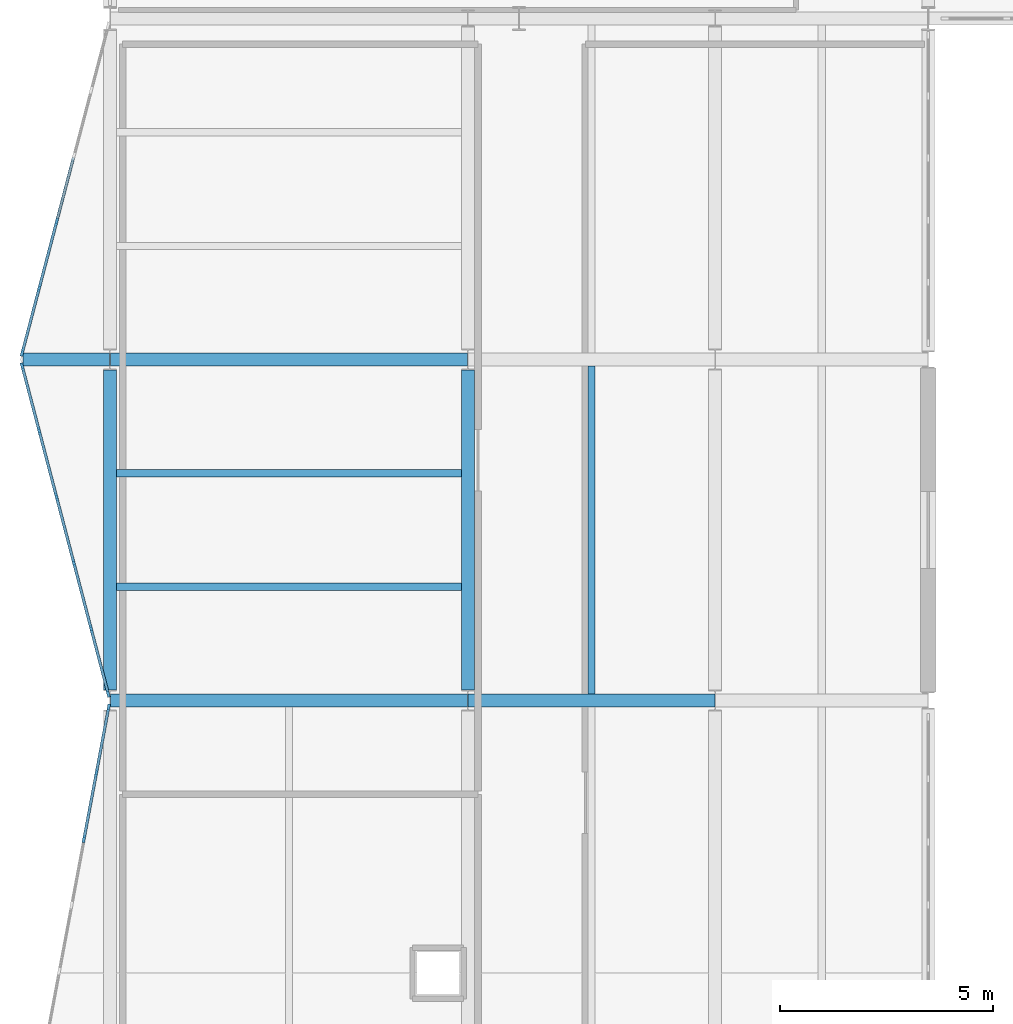
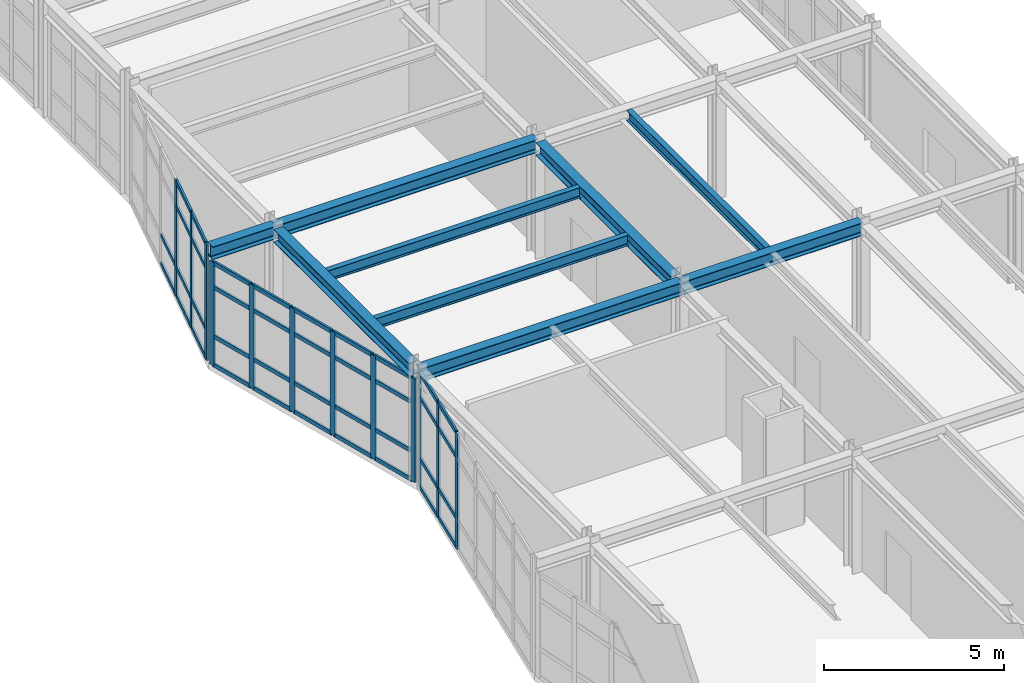
# One storey, part 26 of 88: 50 members, 9 beams, 3 elements without a shape of their own.
"""IFC4 building model written with IfcOpenShell, lengths in metres."""

from ifc_helpers import new_model, si_unit, direction, frame, origin, origin_2d, place, context, subcontext, project, spatial, rectangle, i_section, extrude, material, layer, layer_set, material_profile, profile_set, type_object, element, aggregate, save


model = new_model("IFC4")

# Units and contexts
model_context = context("Model", 3, precision=1e-05, world=origin(), true_north=direction((0.0, 1.0)))
body_context = subcontext(model_context, "Body", "Model", "MODEL_VIEW")
ifc_project = project(units=[si_unit("LENGTHUNIT", "METRE"), si_unit("AREAUNIT", "SQUARE_METRE"), si_unit("VOLUMEUNIT", "CUBIC_METRE"), si_unit("PLANEANGLEUNIT", "RADIAN"), si_unit("MASSUNIT", "GRAM", prefix="KILO")], contexts=[model_context])

# Site, building, storey
site_placement = place(None, origin())
site = spatial("IfcSite", under=ifc_project, at=site_placement, CompositionType="ELEMENT")
building_placement = place(site_placement, origin())
building = spatial("IfcBuilding", under=site, at=building_placement, Name="Nordkorset Police Headquarters", CompositionType="ELEMENT")
storey_placement = place(building_placement, frame((0.0, 0.0, 9.449951171875)))
storey = spatial("IfcBuildingStorey", under=building, at=storey_placement, Name="L02", CompositionType="ELEMENT", Elevation=9.449951171875)

# Beams
ifc_material_1 = material(Name="Steel S355J2", Category="steel")
ifc_material_profile_1 = material_profile(ifc_material_1, i_section(OverallWidth=0.169921875, OverallDepth=0.360107421875, WebThickness=0.008056640625, FlangeThickness=0.0126953125, FilletRadius=0.01806640625, at=origin_2d()), Name="IPE 360")
ifc_profile_set_1 = profile_set([ifc_material_profile_1], Name="Steel S355J2")
beam_type_1 = type_object("IfcBeamType", Name="Beam_IPE_360", PredefinedType="BEAM", material=ifc_profile_set_1)
for number, where, z_axis, x_axis, name in (
    (1, (0.14990234375, 69.86669921875, 3.7900390625), (1.0, 0.0, 0.0), (0.0, 1.0, 0.0), "Composite Floor Beam V3 L02 0-4-1"),
    (2, (0.14990234375, 72.533447265625, 3.7900390625), (1.0, 0.0, 0.0), (0.0, 1.0, 0.0), "Composite Floor Beam V3 L02 0-4-2"),
):
    element("IfcBeam", number, at=place(storey_placement, frame(where, z_axis=z_axis, x_axis=x_axis)), inside=storey, type_object=beam_type_1, Name=name, PredefinedType="BEAM", context=body_context, shape_type="SweptSolid", body=[
        extrude(i_section(OverallWidth=0.169921875, OverallDepth=0.360107421875, WebThickness=0.008056640625, FlangeThickness=0.0126953125, FilletRadius=0.01806640625, at=origin_2d()), origin(), (0.0, 0.0, 1.0), 8.10009765625),
    ])
beam_1_placement = place(storey_placement, frame((11.300048828125, 67.35009765625, 3.7900390625), z_axis=(0.0, 1.0, 0.0), x_axis=(-1.0, 0.0, 0.0)))
element("IfcBeam", 3, at=beam_1_placement, inside=storey, type_object=beam_type_1, Name="Composite Floor Beam V3 L02 1-4-1", PredefinedType="BEAM", context=body_context, shape_type="SweptSolid", body=[
    extrude(i_section(OverallWidth=0.169921875, OverallDepth=0.360107421875, WebThickness=0.008056640625, FlangeThickness=0.0126953125, FilletRadius=0.01806640625, at=origin_2d()), origin(), (0.0, 0.0, 1.0), 7.699951171875),
])

# Curtain wall, members
ifc_material_2 = material(Name="Aluminium alloy AW-6060", Category="aluminium")
ifc_layer_1 = layer(ifc_material_2, 0.179931640625, Name="Aluminium alloy AW-6060")
ifc_layer_set_1 = layer_set([ifc_layer_1], Name="Aluminium alloy AW-6060")
curtain_wall_type_1 = type_object("IfcCurtainWallType", Name="CW_Unit_949x392", PredefinedType="USERDEFINED", material=ifc_layer_set_1)
curtain_wall_1_placement = place(storey_placement, origin())
curtain_wall_1 = element("IfcCurtainWall", 4, at=curtain_wall_1_placement, inside=storey, type_object=curtain_wall_type_1, Name="Unitised Curtain Wall L02 V3W-3", ObjectType="UNITISED CURTAIN WALL", PredefinedType="USERDEFINED")
ifc_material_3 = material(Name="Aluminium alloy AW-6060", Category="aluminium")
ifc_material_profile_2 = material_profile(ifc_material_3, rectangle(XDim=0.06494140625, YDim=0.179931640625, at=origin_2d()), Name="ALU MULL 65x180")
ifc_profile_set_2 = profile_set([ifc_material_profile_2], Name="Aluminium alloy AW-6060")
member_type_1 = type_object("IfcMemberType", Name="CW_Mullion_65x180", PredefinedType="MULLION", material=ifc_profile_set_2)
member_1_placement = place(storey_placement, frame((-0.608642578125, 63.9541015625, 0.0), z_axis=(0.0, 0.0, 1.0), x_axis=(-0.982872186935, 0.184288535048, 0.0)))
member_1 = element("IfcMember", 5, at=member_1_placement, type_object=member_type_1, Name="CW-49 mullion 5", PredefinedType="MULLION", context=body_context, shape_type="SweptSolid", body=[
    extrude(rectangle(XDim=0.06494140625, YDim=0.179931640625, at=origin_2d()), origin(), (0.0, 0.0, 1.0), 3.920166015625),
])
member_2_placement = place(storey_placement, frame((-0.317138671875, 65.50830078125, 0.0), z_axis=(0.0, 0.0, 1.0), x_axis=(-0.982872186935, 0.184288535048, 0.0)))
member_2 = element("IfcMember", 6, at=member_2_placement, type_object=member_type_1, Name="CW-49 mullion 6", PredefinedType="MULLION", context=body_context, shape_type="SweptSolid", body=[
    extrude(rectangle(XDim=0.06494140625, YDim=0.179931640625, at=origin_2d()), origin(), (0.0, 0.0, 1.0), 3.920166015625),
])
member_3_placement = place(storey_placement, frame((-0.03173828125, 67.030517578125, 0.0), z_axis=(0.0, 0.0, 1.0), x_axis=(-0.982872186935, 0.184288535048, 0.0)))
member_3 = element("IfcMember", 7, at=member_3_placement, type_object=member_type_1, Name="CW-49 mullion 7", PredefinedType="MULLION", context=body_context, shape_type="SweptSolid", body=[
    extrude(rectangle(XDim=0.06494140625, YDim=0.179931640625, at=origin_2d()), origin(), (0.0, 0.0, 1.0), 3.920166015625),
])

ifc_material_4 = material(Name="Aluminium alloy AW-6060", Category="aluminium")
ifc_layer_2 = layer(ifc_material_4, 0.179931640625, Name="Aluminium alloy AW-6060")
ifc_layer_set_2 = layer_set([ifc_layer_2], Name="Aluminium alloy AW-6060")
curtain_wall_type_2 = type_object("IfcCurtainWallType", Name="CW_Unit_799x351", PredefinedType="USERDEFINED", material=ifc_layer_set_2)
curtain_wall_2_placement = place(storey_placement, origin())
curtain_wall_2 = element("IfcCurtainWall", 8, at=curtain_wall_2_placement, inside=storey, type_object=curtain_wall_type_2, Name="Unitised Curtain Wall L02 V3W-4", ObjectType="UNITISED CURTAIN WALL", PredefinedType="USERDEFINED")
member_4_placement = place(storey_placement, frame((-0.043701171875, 67.366943359375, 0.0), z_axis=(0.0, 0.0, 1.0), x_axis=(-0.967231265013, -0.25389698695, 0.0)))
member_4 = element("IfcMember", 9, at=member_4_placement, type_object=member_type_1, Name="CW-16 mullion 1", PredefinedType="MULLION", context=body_context, shape_type="SweptSolid", body=[
    extrude(rectangle(XDim=0.06494140625, YDim=0.179931640625, at=origin_2d()), origin(), (0.0, 0.0, 1.0), 3.510009765625),
])
member_5_placement = place(storey_placement, frame((-0.44140625, 68.88134765625, 0.0), z_axis=(0.0, 0.0, 1.0), x_axis=(-0.967231265013, -0.25389698695, 0.0)))
member_5 = element("IfcMember", 10, at=member_5_placement, type_object=member_type_1, Name="CW-16 mullion 2", PredefinedType="MULLION", context=body_context, shape_type="SweptSolid", body=[
    extrude(rectangle(XDim=0.06494140625, YDim=0.179931640625, at=origin_2d()), origin(), (0.0, 0.0, 1.0), 3.510009765625),
])
member_6_placement = place(storey_placement, frame((-0.84716796875, 70.427001953125, 0.0), z_axis=(0.0, 0.0, 1.0), x_axis=(-0.967231265013, -0.25389698695, 0.0)))
member_6 = element("IfcMember", 11, at=member_6_placement, type_object=member_type_1, Name="CW-16 mullion 3", PredefinedType="MULLION", context=body_context, shape_type="SweptSolid", body=[
    extrude(rectangle(XDim=0.06494140625, YDim=0.179931640625, at=origin_2d()), origin(), (0.0, 0.0, 1.0), 3.510009765625),
])
member_7_placement = place(storey_placement, frame((-1.2529296875, 71.972900390625, 0.0), z_axis=(0.0, 0.0, 1.0), x_axis=(-0.967231265013, -0.25389698695, 0.0)))
member_7 = element("IfcMember", 12, at=member_7_placement, type_object=member_type_1, Name="CW-16 mullion 4", PredefinedType="MULLION", context=body_context, shape_type="SweptSolid", body=[
    extrude(rectangle(XDim=0.06494140625, YDim=0.179931640625, at=origin_2d()), origin(), (0.0, 0.0, 1.0), 3.510009765625),
])
member_8_placement = place(storey_placement, frame((-1.65869140625, 73.518798828125, 0.0), z_axis=(0.0, 0.0, 1.0), x_axis=(-0.967231265013, -0.25389698695, 0.0)))
member_8 = element("IfcMember", 13, at=member_8_placement, type_object=member_type_1, Name="CW-16 mullion 5", PredefinedType="MULLION", context=body_context, shape_type="SweptSolid", body=[
    extrude(rectangle(XDim=0.06494140625, YDim=0.179931640625, at=origin_2d()), origin(), (0.0, 0.0, 1.0), 3.510009765625),
])
member_9_placement = place(storey_placement, frame((-2.05615234375, 75.033203125, 0.0), z_axis=(0.0, 0.0, 1.0), x_axis=(-0.967231265013, -0.25389698695, 0.0)))
member_9 = element("IfcMember", 14, at=member_9_placement, type_object=member_type_1, Name="CW-16 mullion 6", PredefinedType="MULLION", context=body_context, shape_type="SweptSolid", body=[
    extrude(rectangle(XDim=0.06494140625, YDim=0.179931640625, at=origin_2d()), origin(), (0.0, 0.0, 1.0), 3.510009765625),
])

ifc_material_5 = material(Name="Aluminium alloy AW-6060", Category="aluminium")
ifc_layer_3 = layer(ifc_material_5, 0.179931640625, Name="Aluminium alloy AW-6060")
ifc_layer_set_3 = layer_set([ifc_layer_3], Name="Aluminium alloy AW-6060")
curtain_wall_type_3 = type_object("IfcCurtainWallType", Name="CW_Unit_799x392", PredefinedType="USERDEFINED", material=ifc_layer_set_3)
curtain_wall_3_placement = place(storey_placement, origin())
curtain_wall_3 = element("IfcCurtainWall", 15, at=curtain_wall_3_placement, inside=storey, type_object=curtain_wall_type_3, Name="Unitised Curtain Wall L02 V3W-5", ObjectType="UNITISED CURTAIN WALL", PredefinedType="USERDEFINED")
member_10_placement = place(storey_placement, frame((-2.05615234375, 75.366943359375, 0.0), z_axis=(0.0, 0.0, 1.0), x_axis=(-0.967231265013, 0.25389698695, 0.0)))
member_10 = element("IfcMember", 16, at=member_10_placement, type_object=member_type_1, Name="CW-68 mullion 1", PredefinedType="MULLION", context=body_context, shape_type="SweptSolid", body=[
    extrude(rectangle(XDim=0.06494140625, YDim=0.179931640625, at=origin_2d()), origin(), (0.0, 0.0, 1.0), 3.920166015625),
])
member_11_placement = place(storey_placement, frame((-1.65869140625, 76.88134765625, 0.0), z_axis=(0.0, 0.0, 1.0), x_axis=(-0.967231265013, 0.25389698695, 0.0)))
member_11 = element("IfcMember", 17, at=member_11_placement, type_object=member_type_1, Name="CW-68 mullion 2", PredefinedType="MULLION", context=body_context, shape_type="SweptSolid", body=[
    extrude(rectangle(XDim=0.06494140625, YDim=0.179931640625, at=origin_2d()), origin(), (0.0, 0.0, 1.0), 3.920166015625),
])
member_12_placement = place(storey_placement, frame((-1.2529296875, 78.427001953125, 0.0), z_axis=(0.0, 0.0, 1.0), x_axis=(-0.967231265013, 0.25389698695, 0.0)))
member_12 = element("IfcMember", 18, at=member_12_placement, type_object=member_type_1, Name="CW-68 mullion 3", PredefinedType="MULLION", context=body_context, shape_type="SweptSolid", body=[
    extrude(rectangle(XDim=0.06494140625, YDim=0.179931640625, at=origin_2d()), origin(), (0.0, 0.0, 1.0), 3.920166015625),
])

# Member
ifc_material_6 = material(Name="Aluminium alloy AW-6060", Category="aluminium")
ifc_material_profile_3 = material_profile(ifc_material_6, rectangle(XDim=0.06494140625, YDim=0.139892578125, at=origin_2d()), Name="ALU TRAN 65x140")
ifc_profile_set_3 = profile_set([ifc_material_profile_3], Name="Aluminium alloy AW-6060")
member_type_2 = type_object("IfcMemberType", Name="CW_Transom_65x140", PredefinedType="USERDEFINED", material=ifc_profile_set_3)
member_13_placement = place(storey_placement, frame((-0.6025390625, 63.986083984375, 0.032470703125), z_axis=(0.184210757138, 0.982886767107, 0.0), x_axis=(-0.982886767107, 0.184210757138, 0.0)))
member_13 = element("IfcMember", 19, at=member_13_placement, type_object=member_type_2, Name="CW-49 transom 5.1", ObjectType="TRANSOM", PredefinedType="USERDEFINED", context=body_context, shape_type="SweptSolid", body=[
    extrude(rectangle(XDim=0.06494140625, YDim=0.139892578125, at=origin_2d()), origin(), (0.0, 0.0, 1.0), 1.51611328125),
])

member_14_placement = place(storey_placement, frame((-0.6025390625, 63.986083984375, 1.0), z_axis=(0.184210757138, 0.982886767107, 0.0), x_axis=(-0.982886767107, 0.184210757138, 0.0)))
member_14 = element("IfcMember", 20, at=member_14_placement, type_object=member_type_2, Name="CW-49 transom 5.2", ObjectType="TRANSOM", PredefinedType="USERDEFINED", context=body_context, shape_type="SweptSolid", body=[
    extrude(rectangle(XDim=0.06494140625, YDim=0.139892578125, at=origin_2d()), origin(), (0.0, 0.0, 1.0), 1.51611328125),
])

member_15_placement = place(storey_placement, frame((-0.6025390625, 63.986083984375, 3.070068359375), z_axis=(0.184210757138, 0.982886767107, 0.0), x_axis=(-0.982886767107, 0.184210757138, 0.0)))
member_15 = element("IfcMember", 21, at=member_15_placement, type_object=member_type_2, Name="CW-49 transom 5.3", ObjectType="TRANSOM", PredefinedType="USERDEFINED", context=body_context, shape_type="SweptSolid", body=[
    extrude(rectangle(XDim=0.06494140625, YDim=0.139892578125, at=origin_2d()), origin(), (0.0, 0.0, 1.0), 1.51611328125),
])

member_16_placement = place(storey_placement, frame((-0.6025390625, 63.986083984375, 3.887451171875), z_axis=(0.184210757138, 0.982886767107, 0.0), x_axis=(-0.982886767107, 0.184210757138, 0.0)))
member_16 = element("IfcMember", 22, at=member_16_placement, type_object=member_type_2, Name="CW-49 transom 5.4", ObjectType="TRANSOM", PredefinedType="USERDEFINED", context=body_context, shape_type="SweptSolid", body=[
    extrude(rectangle(XDim=0.06494140625, YDim=0.139892578125, at=origin_2d()), origin(), (0.0, 0.0, 1.0), 1.51611328125),
])

member_17_placement = place(storey_placement, frame((-0.311279296875, 65.540283203125, 0.032470703125), z_axis=(0.184298470268, 0.982870324029, 0.0), x_axis=(-0.982870324029, 0.184298470268, 0.0)))
member_17 = element("IfcMember", 23, at=member_17_placement, type_object=member_type_2, Name="CW-49 transom 6.1", ObjectType="TRANSOM", PredefinedType="USERDEFINED", context=body_context, shape_type="SweptSolid", body=[
    extrude(rectangle(XDim=0.06494140625, YDim=0.139892578125, at=origin_2d()), origin(), (0.0, 0.0, 1.0), 1.483642578125),
])

member_18_placement = place(storey_placement, frame((-0.311279296875, 65.540283203125, 1.0), z_axis=(0.184298470268, 0.982870324029, 0.0), x_axis=(-0.982870324029, 0.184298470268, 0.0)))
member_18 = element("IfcMember", 24, at=member_18_placement, type_object=member_type_2, Name="CW-49 transom 6.2", ObjectType="TRANSOM", PredefinedType="USERDEFINED", context=body_context, shape_type="SweptSolid", body=[
    extrude(rectangle(XDim=0.06494140625, YDim=0.139892578125, at=origin_2d()), origin(), (0.0, 0.0, 1.0), 1.483642578125),
])

member_19_placement = place(storey_placement, frame((-0.311279296875, 65.540283203125, 3.070068359375), z_axis=(0.184298470268, 0.982870324029, 0.0), x_axis=(-0.982870324029, 0.184298470268, 0.0)))
member_19 = element("IfcMember", 25, at=member_19_placement, type_object=member_type_2, Name="CW-49 transom 6.3", ObjectType="TRANSOM", PredefinedType="USERDEFINED", context=body_context, shape_type="SweptSolid", body=[
    extrude(rectangle(XDim=0.06494140625, YDim=0.139892578125, at=origin_2d()), origin(), (0.0, 0.0, 1.0), 1.483642578125),
])

member_20_placement = place(storey_placement, frame((-0.311279296875, 65.540283203125, 3.887451171875), z_axis=(0.184298470268, 0.982870324029, 0.0), x_axis=(-0.982870324029, 0.184298470268, 0.0)))
member_20 = element("IfcMember", 26, at=member_20_placement, type_object=member_type_2, Name="CW-49 transom 6.4", ObjectType="TRANSOM", PredefinedType="USERDEFINED", context=body_context, shape_type="SweptSolid", body=[
    extrude(rectangle(XDim=0.06494140625, YDim=0.139892578125, at=origin_2d()), origin(), (0.0, 0.0, 1.0), 1.483642578125),
])

aggregate(curtain_wall_1, [member_1, member_2, member_3, member_13, member_14, member_15, member_16, member_17, member_18, member_19, member_20])

member_21_placement = place(storey_placement, frame((-0.052001953125, 67.398193359375, 0.032470703125), z_axis=(-0.253924760119, 0.967223974164, 0.0), x_axis=(-0.967223974164, -0.253924760119, 0.0)))
member_21 = element("IfcMember", 27, at=member_21_placement, type_object=member_type_2, Name="CW-16 transom 1.1", ObjectType="TRANSOM", PredefinedType="USERDEFINED", context=body_context, shape_type="SweptSolid", body=[
    extrude(rectangle(XDim=0.06494140625, YDim=0.139892578125, at=origin_2d()), origin(), (0.0, 0.0, 1.0), 1.500732421875),
])

member_22_placement = place(storey_placement, frame((-0.052001953125, 67.398193359375, 1.0), z_axis=(-0.253924760119, 0.967223974164, 0.0), x_axis=(-0.967223974164, -0.253924760119, 0.0)))
member_22 = element("IfcMember", 28, at=member_22_placement, type_object=member_type_2, Name="CW-16 transom 1.2", ObjectType="TRANSOM", PredefinedType="USERDEFINED", context=body_context, shape_type="SweptSolid", body=[
    extrude(rectangle(XDim=0.06494140625, YDim=0.139892578125, at=origin_2d()), origin(), (0.0, 0.0, 1.0), 1.500732421875),
])

member_23_placement = place(storey_placement, frame((-0.052001953125, 67.398193359375, 2.66015625), z_axis=(-0.253924760119, 0.967223974164, 0.0), x_axis=(-0.967223974164, -0.253924760119, 0.0)))
member_23 = element("IfcMember", 29, at=member_23_placement, type_object=member_type_2, Name="CW-16 transom 1.3", ObjectType="TRANSOM", PredefinedType="USERDEFINED", context=body_context, shape_type="SweptSolid", body=[
    extrude(rectangle(XDim=0.06494140625, YDim=0.139892578125, at=origin_2d()), origin(), (0.0, 0.0, 1.0), 1.500732421875),
])

member_24_placement = place(storey_placement, frame((-0.052001953125, 67.398193359375, 3.4775390625), z_axis=(-0.253924760119, 0.967223974164, 0.0), x_axis=(-0.967223974164, -0.253924760119, 0.0)))
member_24 = element("IfcMember", 30, at=member_24_placement, type_object=member_type_2, Name="CW-16 transom 1.4", ObjectType="TRANSOM", PredefinedType="USERDEFINED", context=body_context, shape_type="SweptSolid", body=[
    extrude(rectangle(XDim=0.06494140625, YDim=0.139892578125, at=origin_2d()), origin(), (0.0, 0.0, 1.0), 1.500732421875),
])

member_25_placement = place(storey_placement, frame((-0.449462890625, 68.91259765625, 0.032470703125), z_axis=(-0.253944674811, 0.967218745753, 0.0), x_axis=(-0.967218745753, -0.253944674811, 0.0)))
member_25 = element("IfcMember", 31, at=member_25_placement, type_object=member_type_2, Name="CW-16 transom 2.1", ObjectType="TRANSOM", PredefinedType="USERDEFINED", context=body_context, shape_type="SweptSolid", body=[
    extrude(rectangle(XDim=0.06494140625, YDim=0.139892578125, at=origin_2d()), origin(), (0.0, 0.0, 1.0), 1.533447265625),
])

member_26_placement = place(storey_placement, frame((-0.449462890625, 68.91259765625, 1.0), z_axis=(-0.253944674811, 0.967218745753, 0.0), x_axis=(-0.967218745753, -0.253944674811, 0.0)))
member_26 = element("IfcMember", 32, at=member_26_placement, type_object=member_type_2, Name="CW-16 transom 2.2", ObjectType="TRANSOM", PredefinedType="USERDEFINED", context=body_context, shape_type="SweptSolid", body=[
    extrude(rectangle(XDim=0.06494140625, YDim=0.139892578125, at=origin_2d()), origin(), (0.0, 0.0, 1.0), 1.533447265625),
])

member_27_placement = place(storey_placement, frame((-0.449462890625, 68.91259765625, 2.66015625), z_axis=(-0.253944674811, 0.967218745753, 0.0), x_axis=(-0.967218745753, -0.253944674811, 0.0)))
member_27 = element("IfcMember", 33, at=member_27_placement, type_object=member_type_2, Name="CW-16 transom 2.3", ObjectType="TRANSOM", PredefinedType="USERDEFINED", context=body_context, shape_type="SweptSolid", body=[
    extrude(rectangle(XDim=0.06494140625, YDim=0.139892578125, at=origin_2d()), origin(), (0.0, 0.0, 1.0), 1.533447265625),
])

member_28_placement = place(storey_placement, frame((-0.449462890625, 68.91259765625, 3.4775390625), z_axis=(-0.253944674811, 0.967218745753, 0.0), x_axis=(-0.967218745753, -0.253944674811, 0.0)))
member_28 = element("IfcMember", 34, at=member_28_placement, type_object=member_type_2, Name="CW-16 transom 2.4", ObjectType="TRANSOM", PredefinedType="USERDEFINED", context=body_context, shape_type="SweptSolid", body=[
    extrude(rectangle(XDim=0.06494140625, YDim=0.139892578125, at=origin_2d()), origin(), (0.0, 0.0, 1.0), 1.533447265625),
])

member_29_placement = place(storey_placement, frame((-0.85546875, 70.45849609375, 0.032470703125), z_axis=(-0.253834812056, 0.967247583708, 0.0), x_axis=(-0.967247583708, -0.253834812056, 0.0)))
member_29 = element("IfcMember", 35, at=member_29_placement, type_object=member_type_2, Name="CW-16 transom 3.1", ObjectType="TRANSOM", PredefinedType="USERDEFINED", context=body_context, shape_type="SweptSolid", body=[
    extrude(rectangle(XDim=0.06494140625, YDim=0.139892578125, at=origin_2d()), origin(), (0.0, 0.0, 1.0), 1.533203125),
])

member_30_placement = place(storey_placement, frame((-0.85546875, 70.45849609375, 1.0), z_axis=(-0.253834812056, 0.967247583708, 0.0), x_axis=(-0.967247583708, -0.253834812056, 0.0)))
member_30 = element("IfcMember", 36, at=member_30_placement, type_object=member_type_2, Name="CW-16 transom 3.2", ObjectType="TRANSOM", PredefinedType="USERDEFINED", context=body_context, shape_type="SweptSolid", body=[
    extrude(rectangle(XDim=0.06494140625, YDim=0.139892578125, at=origin_2d()), origin(), (0.0, 0.0, 1.0), 1.533203125),
])

member_31_placement = place(storey_placement, frame((-0.85546875, 70.45849609375, 2.66015625), z_axis=(-0.253834812056, 0.967247583708, 0.0), x_axis=(-0.967247583708, -0.253834812056, 0.0)))
member_31 = element("IfcMember", 37, at=member_31_placement, type_object=member_type_2, Name="CW-16 transom 3.3", ObjectType="TRANSOM", PredefinedType="USERDEFINED", context=body_context, shape_type="SweptSolid", body=[
    extrude(rectangle(XDim=0.06494140625, YDim=0.139892578125, at=origin_2d()), origin(), (0.0, 0.0, 1.0), 1.533203125),
])

member_32_placement = place(storey_placement, frame((-0.85546875, 70.45849609375, 3.4775390625), z_axis=(-0.253834812056, 0.967247583708, 0.0), x_axis=(-0.967247583708, -0.253834812056, 0.0)))
member_32 = element("IfcMember", 38, at=member_32_placement, type_object=member_type_2, Name="CW-16 transom 3.4", ObjectType="TRANSOM", PredefinedType="USERDEFINED", context=body_context, shape_type="SweptSolid", body=[
    extrude(rectangle(XDim=0.06494140625, YDim=0.139892578125, at=origin_2d()), origin(), (0.0, 0.0, 1.0), 1.533203125),
])

member_33_placement = place(storey_placement, frame((-1.26123046875, 72.00439453125, 0.032470703125), z_axis=(-0.253834812056, 0.967247583708, 0.0), x_axis=(-0.967247583708, -0.253834812056, 0.0)))
member_33 = element("IfcMember", 39, at=member_33_placement, type_object=member_type_2, Name="CW-16 transom 4.1", ObjectType="TRANSOM", PredefinedType="USERDEFINED", context=body_context, shape_type="SweptSolid", body=[
    extrude(rectangle(XDim=0.06494140625, YDim=0.139892578125, at=origin_2d()), origin(), (0.0, 0.0, 1.0), 1.533203125),
])

member_34_placement = place(storey_placement, frame((-1.26123046875, 72.00439453125, 1.0), z_axis=(-0.253834812056, 0.967247583708, 0.0), x_axis=(-0.967247583708, -0.253834812056, 0.0)))
member_34 = element("IfcMember", 40, at=member_34_placement, type_object=member_type_2, Name="CW-16 transom 4.2", ObjectType="TRANSOM", PredefinedType="USERDEFINED", context=body_context, shape_type="SweptSolid", body=[
    extrude(rectangle(XDim=0.06494140625, YDim=0.139892578125, at=origin_2d()), origin(), (0.0, 0.0, 1.0), 1.533203125),
])

member_35_placement = place(storey_placement, frame((-1.26123046875, 72.00439453125, 2.66015625), z_axis=(-0.253834812056, 0.967247583708, 0.0), x_axis=(-0.967247583708, -0.253834812056, 0.0)))
member_35 = element("IfcMember", 41, at=member_35_placement, type_object=member_type_2, Name="CW-16 transom 4.3", ObjectType="TRANSOM", PredefinedType="USERDEFINED", context=body_context, shape_type="SweptSolid", body=[
    extrude(rectangle(XDim=0.06494140625, YDim=0.139892578125, at=origin_2d()), origin(), (0.0, 0.0, 1.0), 1.533203125),
])

member_36_placement = place(storey_placement, frame((-1.26123046875, 72.00439453125, 3.4775390625), z_axis=(-0.253834812056, 0.967247583708, 0.0), x_axis=(-0.967247583708, -0.253834812056, 0.0)))
member_36 = element("IfcMember", 42, at=member_36_placement, type_object=member_type_2, Name="CW-16 transom 4.4", ObjectType="TRANSOM", PredefinedType="USERDEFINED", context=body_context, shape_type="SweptSolid", body=[
    extrude(rectangle(XDim=0.06494140625, YDim=0.139892578125, at=origin_2d()), origin(), (0.0, 0.0, 1.0), 1.533203125),
])

member_37_placement = place(storey_placement, frame((-1.6669921875, 73.55029296875, 0.032470703125), z_axis=(-0.253812508184, 0.967253436639, 0.0), x_axis=(-0.967253436639, -0.253812508184, 0.0)))
member_37 = element("IfcMember", 43, at=member_37_placement, type_object=member_type_2, Name="CW-16 transom 5.1", ObjectType="TRANSOM", PredefinedType="USERDEFINED", context=body_context, shape_type="SweptSolid", body=[
    extrude(rectangle(XDim=0.06494140625, YDim=0.139892578125, at=origin_2d()), origin(), (0.0, 0.0, 1.0), 1.50048828125),
])

member_38_placement = place(storey_placement, frame((-1.6669921875, 73.55029296875, 1.0), z_axis=(-0.253812508184, 0.967253436639, 0.0), x_axis=(-0.967253436639, -0.253812508184, 0.0)))
member_38 = element("IfcMember", 44, at=member_38_placement, type_object=member_type_2, Name="CW-16 transom 5.2", ObjectType="TRANSOM", PredefinedType="USERDEFINED", context=body_context, shape_type="SweptSolid", body=[
    extrude(rectangle(XDim=0.06494140625, YDim=0.139892578125, at=origin_2d()), origin(), (0.0, 0.0, 1.0), 1.50048828125),
])

member_39_placement = place(storey_placement, frame((-1.6669921875, 73.55029296875, 2.66015625), z_axis=(-0.253812508184, 0.967253436639, 0.0), x_axis=(-0.967253436639, -0.253812508184, 0.0)))
member_39 = element("IfcMember", 45, at=member_39_placement, type_object=member_type_2, Name="CW-16 transom 5.3", ObjectType="TRANSOM", PredefinedType="USERDEFINED", context=body_context, shape_type="SweptSolid", body=[
    extrude(rectangle(XDim=0.06494140625, YDim=0.139892578125, at=origin_2d()), origin(), (0.0, 0.0, 1.0), 1.50048828125),
])

member_40_placement = place(storey_placement, frame((-1.6669921875, 73.55029296875, 3.4775390625), z_axis=(-0.253812508184, 0.967253436639, 0.0), x_axis=(-0.967253436639, -0.253812508184, 0.0)))
member_40 = element("IfcMember", 46, at=member_40_placement, type_object=member_type_2, Name="CW-16 transom 5.4", ObjectType="TRANSOM", PredefinedType="USERDEFINED", context=body_context, shape_type="SweptSolid", body=[
    extrude(rectangle(XDim=0.06494140625, YDim=0.139892578125, at=origin_2d()), origin(), (0.0, 0.0, 1.0), 1.50048828125),
])

aggregate(curtain_wall_2, [member_4, member_5, member_6, member_7, member_8, member_9, member_21, member_22, member_23, member_24, member_25, member_26, member_27, member_28, member_29, member_30, member_31, member_32, member_33, member_34, member_35, member_36, member_37, member_38, member_39, member_40])

member_41_placement = place(storey_placement, frame((-2.0478515625, 75.398193359375, 0.032470703125), z_axis=(0.253772571157, 0.967263915448, 0.0), x_axis=(-0.967263915448, 0.253772571157, 0.0)))
member_41 = element("IfcMember", 47, at=member_41_placement, type_object=member_type_2, Name="CW-68 transom 1.1", ObjectType="TRANSOM", PredefinedType="USERDEFINED", context=body_context, shape_type="SweptSolid", body=[
    extrude(rectangle(XDim=0.06494140625, YDim=0.139892578125, at=origin_2d()), origin(), (0.0, 0.0, 1.0), 1.500732421875),
])

member_42_placement = place(storey_placement, frame((-2.0478515625, 75.398193359375, 1.0), z_axis=(0.253772571157, 0.967263915448, 0.0), x_axis=(-0.967263915448, 0.253772571157, 0.0)))
member_42 = element("IfcMember", 48, at=member_42_placement, type_object=member_type_2, Name="CW-68 transom 1.2", ObjectType="TRANSOM", PredefinedType="USERDEFINED", context=body_context, shape_type="SweptSolid", body=[
    extrude(rectangle(XDim=0.06494140625, YDim=0.139892578125, at=origin_2d()), origin(), (0.0, 0.0, 1.0), 1.500732421875),
])

member_43_placement = place(storey_placement, frame((-2.0478515625, 75.398193359375, 3.070068359375), z_axis=(0.253772571157, 0.967263915448, 0.0), x_axis=(-0.967263915448, 0.253772571157, 0.0)))
member_43 = element("IfcMember", 49, at=member_43_placement, type_object=member_type_2, Name="CW-68 transom 1.3", ObjectType="TRANSOM", PredefinedType="USERDEFINED", context=body_context, shape_type="SweptSolid", body=[
    extrude(rectangle(XDim=0.06494140625, YDim=0.139892578125, at=origin_2d()), origin(), (0.0, 0.0, 1.0), 1.500732421875),
])

member_44_placement = place(storey_placement, frame((-2.0478515625, 75.398193359375, 3.887451171875), z_axis=(0.253772571157, 0.967263915448, 0.0), x_axis=(-0.967263915448, 0.253772571157, 0.0)))
member_44 = element("IfcMember", 50, at=member_44_placement, type_object=member_type_2, Name="CW-68 transom 1.4", ObjectType="TRANSOM", PredefinedType="USERDEFINED", context=body_context, shape_type="SweptSolid", body=[
    extrude(rectangle(XDim=0.06494140625, YDim=0.139892578125, at=origin_2d()), origin(), (0.0, 0.0, 1.0), 1.500732421875),
])

member_45_placement = place(storey_placement, frame((-1.650390625, 76.91259765625, 0.032470703125), z_axis=(0.253795720126, 0.96725784176, 0.0), x_axis=(-0.96725784176, 0.253795720126, 0.0)))
member_45 = element("IfcMember", 51, at=member_45_placement, type_object=member_type_2, Name="CW-68 transom 2.1", ObjectType="TRANSOM", PredefinedType="USERDEFINED", context=body_context, shape_type="SweptSolid", body=[
    extrude(rectangle(XDim=0.06494140625, YDim=0.139892578125, at=origin_2d()), origin(), (0.0, 0.0, 1.0), 1.533447265625),
])

member_46_placement = place(storey_placement, frame((-1.650390625, 76.91259765625, 1.0), z_axis=(0.253795720126, 0.96725784176, 0.0), x_axis=(-0.96725784176, 0.253795720126, 0.0)))
member_46 = element("IfcMember", 52, at=member_46_placement, type_object=member_type_2, Name="CW-68 transom 2.2", ObjectType="TRANSOM", PredefinedType="USERDEFINED", context=body_context, shape_type="SweptSolid", body=[
    extrude(rectangle(XDim=0.06494140625, YDim=0.139892578125, at=origin_2d()), origin(), (0.0, 0.0, 1.0), 1.533447265625),
])

member_47_placement = place(storey_placement, frame((-1.650390625, 76.91259765625, 3.070068359375), z_axis=(0.253795720126, 0.96725784176, 0.0), x_axis=(-0.96725784176, 0.253795720126, 0.0)))
member_47 = element("IfcMember", 53, at=member_47_placement, type_object=member_type_2, Name="CW-68 transom 2.3", ObjectType="TRANSOM", PredefinedType="USERDEFINED", context=body_context, shape_type="SweptSolid", body=[
    extrude(rectangle(XDim=0.06494140625, YDim=0.139892578125, at=origin_2d()), origin(), (0.0, 0.0, 1.0), 1.533447265625),
])

member_48_placement = place(storey_placement, frame((-1.650390625, 76.91259765625, 3.887451171875), z_axis=(0.253795720126, 0.96725784176, 0.0), x_axis=(-0.96725784176, 0.253795720126, 0.0)))
member_48 = element("IfcMember", 54, at=member_48_placement, type_object=member_type_2, Name="CW-68 transom 2.4", ObjectType="TRANSOM", PredefinedType="USERDEFINED", context=body_context, shape_type="SweptSolid", body=[
    extrude(rectangle(XDim=0.06494140625, YDim=0.139892578125, at=origin_2d()), origin(), (0.0, 0.0, 1.0), 1.533447265625),
])

member_49_placement = place(storey_placement, frame((-1.24462890625, 78.45849609375, 0.032470703125), z_axis=(0.253834812056, 0.967247583708, 0.0), x_axis=(-0.967247583708, 0.253834812056, 0.0)))
member_49 = element("IfcMember", 55, at=member_49_placement, type_object=member_type_2, Name="CW-68 transom 3.1", ObjectType="TRANSOM", PredefinedType="USERDEFINED", context=body_context, shape_type="SweptSolid", body=[
    extrude(rectangle(XDim=0.06494140625, YDim=0.139892578125, at=origin_2d()), origin(), (0.0, 0.0, 1.0), 1.533203125),
])

member_50_placement = place(storey_placement, frame((-1.24462890625, 78.45849609375, 1.0), z_axis=(0.253834812056, 0.967247583708, 0.0), x_axis=(-0.967247583708, 0.253834812056, 0.0)))
member_50 = element("IfcMember", 56, at=member_50_placement, type_object=member_type_2, Name="CW-68 transom 3.2", ObjectType="TRANSOM", PredefinedType="USERDEFINED", context=body_context, shape_type="SweptSolid", body=[
    extrude(rectangle(XDim=0.06494140625, YDim=0.139892578125, at=origin_2d()), origin(), (0.0, 0.0, 1.0), 1.533203125),
])

aggregate(curtain_wall_3, [member_10, member_11, member_12, member_41, member_42, member_43, member_44, member_45, member_46, member_47, member_48, member_49, member_50])

# Beams
ifc_material_7 = material(Name="Steel S355J2", Category="steel")
ifc_material_profile_4 = material_profile(ifc_material_7, i_section(OverallWidth=0.300048828125, OverallDepth=0.43994140625, WebThickness=0.011474609375, FlangeThickness=0.02099609375, FilletRadius=0.027099609375, at=origin_2d()), Name="HEA 450")
ifc_profile_set_4 = profile_set([ifc_material_profile_4], Name="Steel S355J2")
beam_type_2 = type_object("IfcBeamType", Name="Girder_HEA_450", PredefinedType="USERDEFINED", material=ifc_profile_set_4)
beam_2_placement = place(storey_placement, frame((0.00732421875, 67.199951171875, 3.75), z_axis=(1.0, 0.0, 0.0), x_axis=(0.0, 1.0, 0.0)))
element("IfcBeam", 57, at=beam_2_placement, inside=storey, type_object=beam_type_2, Name="Girder V3 L02 GX-4-0", ObjectType="GIRDER", PredefinedType="USERDEFINED", context=body_context, shape_type="SweptSolid", body=[
    extrude(i_section(OverallWidth=0.300048828125, OverallDepth=0.43994140625, WebThickness=0.011474609375, FlangeThickness=0.02099609375, FilletRadius=0.027099609375, at=origin_2d()), origin(), (0.0, 0.0, 1.0), 8.38525390625),
])
beam_3_placement = place(storey_placement, frame((8.4072265625, 67.199951171875, 3.75), z_axis=(1.0, 0.0, 0.0), x_axis=(0.0, 1.0, 0.0)))
element("IfcBeam", 58, at=beam_3_placement, inside=storey, type_object=beam_type_2, Name="Girder V3 L02 GX-4-1", ObjectType="GIRDER", PredefinedType="USERDEFINED", context=body_context, shape_type="SweptSolid", body=[
    extrude(i_section(OverallWidth=0.300048828125, OverallDepth=0.43994140625, WebThickness=0.011474609375, FlangeThickness=0.02099609375, FilletRadius=0.027099609375, at=origin_2d()), origin(), (0.0, 0.0, 1.0), 5.785400390625),
])
beam_4_placement = place(storey_placement, frame((0.00732421875, 75.199951171875, 3.75), z_axis=(1.0, 0.0, 0.0), x_axis=(0.0, 1.0, 0.0)))
element("IfcBeam", 59, at=beam_4_placement, inside=storey, type_object=beam_type_2, Name="Girder V3 L02 GX-5-0", ObjectType="GIRDER", PredefinedType="USERDEFINED", context=body_context, shape_type="SweptSolid", body=[
    extrude(i_section(OverallWidth=0.300048828125, OverallDepth=0.43994140625, WebThickness=0.011474609375, FlangeThickness=0.02099609375, FilletRadius=0.027099609375, at=origin_2d()), origin(), (0.0, 0.0, 1.0), 8.38525390625),
])
for number, where, z_axis, x_axis, name in (
    (60, (0.0, 67.449951171875, 3.75), (0.0, 1.0, 0.0), (-1.0, 0.0, 0.0), "Girder V3 L02 GY-0-4"),
    (61, (8.39990234375, 67.449951171875, 3.75), (0.0, 1.0, 0.0), (-1.0, 0.0, 0.0), "Girder V3 L02 GY-1-4"),
):
    element("IfcBeam", number, at=place(storey_placement, frame(where, z_axis=z_axis, x_axis=x_axis)), inside=storey, type_object=beam_type_2, Name=name, ObjectType="GIRDER", PredefinedType="USERDEFINED", context=body_context, shape_type="SweptSolid", body=[
        extrude(i_section(OverallWidth=0.300048828125, OverallDepth=0.43994140625, WebThickness=0.011474609375, FlangeThickness=0.02099609375, FilletRadius=0.027099609375, at=origin_2d()), origin(), (0.0, 0.0, 1.0), 7.5),
    ])
beam_5_placement = place(storey_placement, frame((-0.00732421875, 75.199951171875, 3.75), z_axis=(-1.0, 0.0, 0.0), x_axis=(0.0, -1.0, 0.0)))
element("IfcBeam", 62, at=beam_5_placement, inside=storey, type_object=beam_type_2, Name="Sawtooth Facade Outrigger V3 L02 75", ObjectType="GIRDER", PredefinedType="USERDEFINED", context=body_context, shape_type="SweptSolid", body=[
    extrude(i_section(OverallWidth=0.300048828125, OverallDepth=0.43994140625, WebThickness=0.011474609375, FlangeThickness=0.02099609375, FilletRadius=0.027099609375, at=origin_2d()), origin(), (0.0, 0.0, 1.0), 2.03271484375),
])

save(model, "model.ifc")
